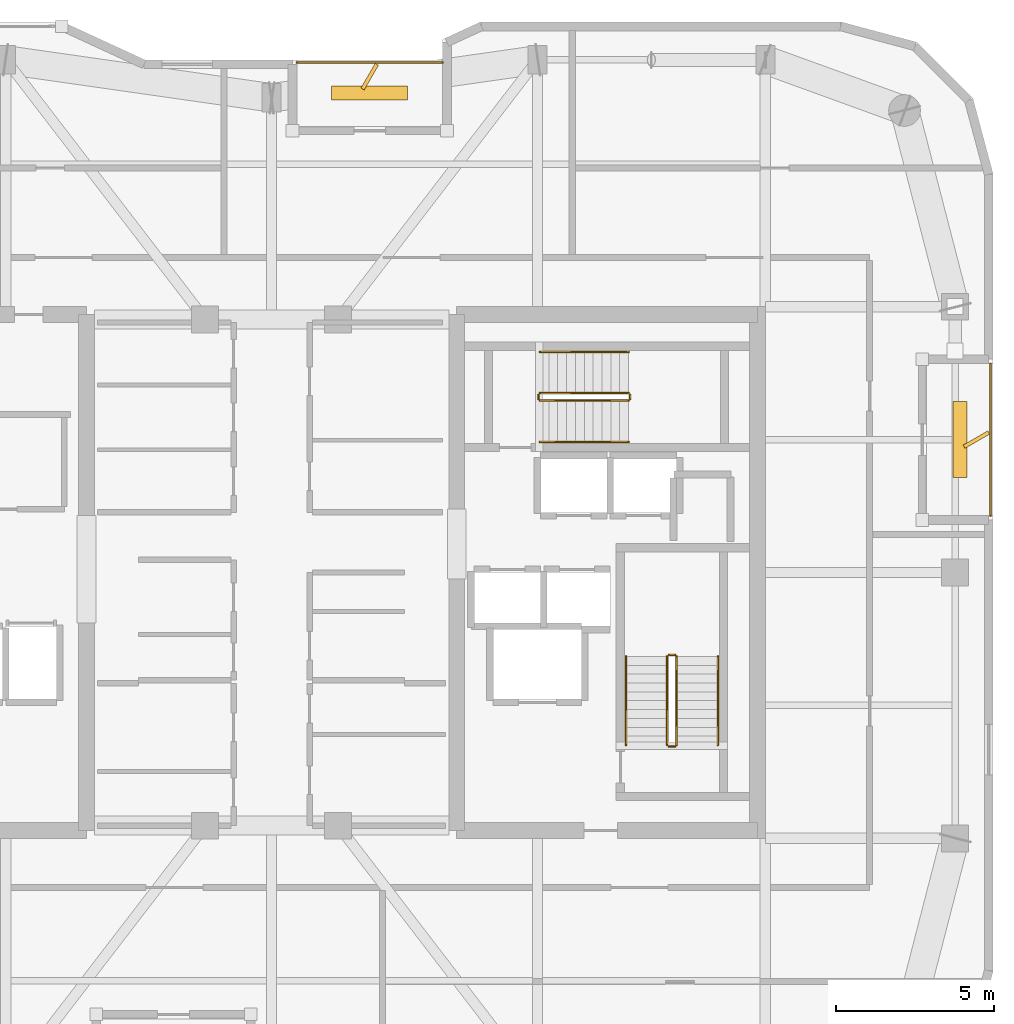
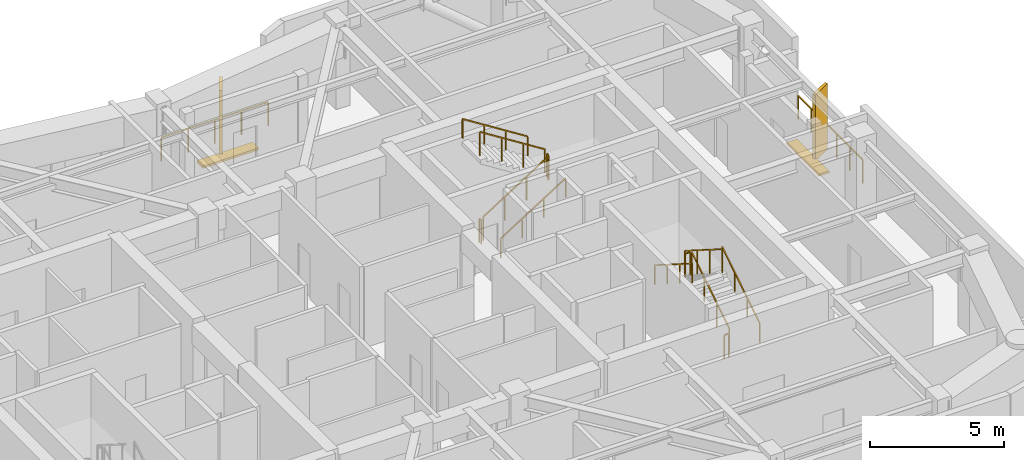
# One storey, part 16 of 16: 14 railings, 4 shading devices.
"""IFC4 building model written with IfcOpenShell, lengths in metres."""

from ifc_helpers import new_model, si_unit, direction, frame, origin, origin_2d, place, context, subcontext, project, spatial, rectangle, extrude, material, type_object, element, save


model = new_model("IFC4")

# Units and contexts
model_context = context("Model", 3, precision=1e-05, world=origin(), true_north=direction((0.0, 1.0)))
body_context = subcontext(model_context, "Body", "Model", "MODEL_VIEW")
ifc_project = project(units=[si_unit("LENGTHUNIT", "METRE"), si_unit("AREAUNIT", "SQUARE_METRE"), si_unit("VOLUMEUNIT", "CUBIC_METRE"), si_unit("PLANEANGLEUNIT", "RADIAN"), si_unit("MASSUNIT", "GRAM", prefix="KILO")], contexts=[model_context])

# Site, building, storey
site_placement = place(None, origin())
site = spatial("IfcSite", under=ifc_project, at=site_placement, CompositionType="ELEMENT")
building_placement = place(site_placement, origin())
building = spatial("IfcBuilding", under=site, at=building_placement, Name="Kiyonajd Concourse Tower", CompositionType="ELEMENT")
storey_placement = place(building_placement, frame((0.0, 0.0, 333.60009765625)))
storey = spatial("IfcBuildingStorey", under=building, at=storey_placement, Name="L84", CompositionType="ELEMENT", Elevation=333.60009765625)

# Railings
ifc_material_1 = material(Name="Thermally Broken Anodised Aluminium", Category="aluminium")
railing_type_1 = type_object("IfcRailingType", Name="RL-GRD-LOG", PredefinedType="GUARDRAIL", material=ifc_material_1)
railing_1_placement = place(storey_placement, frame((53.39990234375, 52.1201171875, 0.0)))
element("IfcRailing", 1, at=railing_1_placement, inside=storey, type_object=railing_type_1, Name="L84 Engawa Loggia Perimeter Guard LOG-N", PredefinedType="GUARDRAIL", context=body_context, shape_type="SweptSolid", body=[
    extrude(rectangle(XDim=0.048095703125, YDim=0.048095703125, at=origin_2d()), frame((0.0, 0.0, 1.076171875), z_axis=(-1.0, 0.0, 0.0), x_axis=(0.0, -1.0, 0.0)), (0.0, 0.0, 1.0), 4.599853515625),
    extrude(rectangle(XDim=0.0419921875, YDim=0.0419921875, at=origin_2d()), origin(), (0.0, 0.0, 1.0), 1.052001953125),
    extrude(rectangle(XDim=0.0419921875, YDim=0.0419921875, at=origin_2d()), frame((-1.14990234375, 0.0, 0.0)), (0.0, 0.0, 1.0), 1.052001953125),
    extrude(rectangle(XDim=0.0419921875, YDim=0.0419921875, at=origin_2d()), frame((-2.2998046875, 0.0, 0.0)), (0.0, 0.0, 1.0), 1.052001953125),
    extrude(rectangle(XDim=0.0419921875, YDim=0.0419921875, at=origin_2d()), frame((-3.449951171875, 0.0, 0.0)), (0.0, 0.0, 1.0), 1.052001953125),
    extrude(rectangle(XDim=0.0419921875, YDim=0.0419921875, at=origin_2d()), frame((-4.599853515625, 0.0, 0.0)), (0.0, 0.0, 1.0), 1.052001953125),
])
railing_2_placement = place(storey_placement, frame((70.719970703125, 37.800048828125, 0.0)))
element("IfcRailing", 2, at=railing_2_placement, inside=storey, type_object=railing_type_1, Name="L84 Engawa Loggia Perimeter Guard LOG-E", PredefinedType="GUARDRAIL", context=body_context, shape_type="SweptSolid", body=[
    extrude(rectangle(XDim=0.048095703125, YDim=0.048095703125, at=origin_2d()), frame((0.0, 0.0, 1.076171875), z_axis=(0.0, 1.0, 0.0), x_axis=(-1.0, 0.0, 0.0)), (0.0, 0.0, 1.0), 4.800048828125),
    extrude(rectangle(XDim=0.0419921875, YDim=0.0419921875, at=origin_2d()), origin(), (0.0, 0.0, 1.0), 1.052001953125),
    extrude(rectangle(XDim=0.0419921875, YDim=0.0419921875, at=origin_2d()), frame((0.0, 0.9599609375, 0.0)), (0.0, 0.0, 1.0), 1.052001953125),
    extrude(rectangle(XDim=0.0419921875, YDim=0.0419921875, at=origin_2d()), frame((0.0, 1.919921875, 0.0)), (0.0, 0.0, 1.0), 1.052001953125),
    extrude(rectangle(XDim=0.0419921875, YDim=0.0419921875, at=origin_2d()), frame((0.0, 2.880126953125, 0.0)), (0.0, 0.0, 1.0), 1.052001953125),
    extrude(rectangle(XDim=0.0419921875, YDim=0.0419921875, at=origin_2d()), frame((0.0, 3.840087890625, 0.0)), (0.0, 0.0, 1.0), 1.052001953125),
    extrude(rectangle(XDim=0.0419921875, YDim=0.0419921875, at=origin_2d()), frame((0.0, 4.800048828125, 0.0)), (0.0, 0.0, 1.0), 1.052001953125),
])
ifc_material_2 = material(Name="Steel ASTM A500 Grade C", Category="steel")
railing_type_2 = type_object("IfcRailingType", Name="RL-GRD-STR", PredefinedType="GUARDRAIL", material=ifc_material_2)
railing_3_placement = place(storey_placement, frame((60.800048828125, 30.550048828125, 0.17724609375)))
element("IfcRailing", 3, at=railing_3_placement, inside=storey, type_object=railing_type_2, Name="L84 ST2 stair guard 1", PredefinedType="GUARDRAIL", context=body_context, shape_type="SweptSolid", body=[
    extrude(rectangle(XDim=0.048095703125, YDim=0.048095703125, at=origin_2d()), frame((0.0, 0.0, 1.076171875), z_axis=(0.0, 0.844908973607, 0.534910110503), x_axis=(-1.0, 0.0, 0.0)), (0.0, 0.0, 1.0), 3.31396484375),
    extrude(rectangle(XDim=0.0419921875, YDim=0.0419921875, at=origin_2d()), origin(), (0.0, 0.0, 1.0), 1.052001953125),
    extrude(rectangle(XDim=0.0419921875, YDim=0.0419921875, at=origin_2d()), frame((0.0, 0.933349609375, 0.5908203125)), (0.0, 0.0, 1.0), 1.052001953125),
    extrude(rectangle(XDim=0.0419921875, YDim=0.0419921875, at=origin_2d()), frame((0.0, 1.86669921875, 1.181884765625)), (0.0, 0.0, 1.0), 1.052001953125),
    extrude(rectangle(XDim=0.0419921875, YDim=0.0419921875, at=origin_2d()), frame((0.0, 2.800048828125, 1.772705078125)), (0.0, 0.0, 1.0), 1.052001953125),
])
railing_4_placement = place(storey_placement, frame((60.75, 33.39990234375, 1.949951171875)))
element("IfcRailing", 4, at=railing_4_placement, inside=storey, type_object=railing_type_2, Name="L84 ST2 stair guard 2", PredefinedType="GUARDRAIL", context=body_context, shape_type="SweptSolid", body=[
    extrude(rectangle(XDim=0.048095703125, YDim=0.048095703125, at=origin_2d()), frame((0.0, 0.0, 1.076171875), z_axis=(-1.0, 0.0, 0.0), x_axis=(0.0, -1.0, 0.0)), (0.0, 0.0, 1.0), 0.199951171875),
    extrude(rectangle(XDim=0.0419921875, YDim=0.0419921875, at=origin_2d()), origin(), (0.0, 0.0, 1.0), 1.052001953125),
    extrude(rectangle(XDim=0.0419921875, YDim=0.0419921875, at=origin_2d()), frame((-0.199951171875, 0.0, 0.0)), (0.0, 0.0, 1.0), 1.052001953125),
])
railing_5_placement = place(storey_placement, frame((60.5, 33.35009765625, 2.127197265625)))
element("IfcRailing", 5, at=railing_5_placement, inside=storey, type_object=railing_type_2, Name="L84 ST2 stair guard 3", PredefinedType="GUARDRAIL", context=body_context, shape_type="SweptSolid", body=[
    extrude(rectangle(XDim=0.048095703125, YDim=0.048095703125, at=origin_2d()), frame((0.0, 0.0, 1.076171875), z_axis=(0.0, -0.844908973607, 0.534910110503), x_axis=(1.0, 0.0, 0.0)), (0.0, 0.0, 1.0), 3.31396484375),
    extrude(rectangle(XDim=0.0419921875, YDim=0.0419921875, at=origin_2d()), origin(), (0.0, 0.0, 1.0), 1.052001953125),
    extrude(rectangle(XDim=0.0419921875, YDim=0.0419921875, at=origin_2d()), frame((0.0, -0.933349609375, 0.5908203125)), (0.0, 0.0, 1.0), 1.052001953125),
    extrude(rectangle(XDim=0.0419921875, YDim=0.0419921875, at=origin_2d()), frame((0.0, -1.86669921875, 1.181884765625)), (0.0, 0.0, 1.0), 1.052001953125),
    extrude(rectangle(XDim=0.0419921875, YDim=0.0419921875, at=origin_2d()), frame((0.0, -2.800048828125, 1.772705078125)), (0.0, 0.0, 1.0), 1.052001953125),
])
railing_6_placement = place(storey_placement, frame((60.75, 30.5, 0.0)))
element("IfcRailing", 6, at=railing_6_placement, inside=storey, type_object=railing_type_2, Name="L84 ST2 stair guard 4", PredefinedType="GUARDRAIL", context=body_context, shape_type="SweptSolid", body=[
    extrude(rectangle(XDim=0.048095703125, YDim=0.048095703125, at=origin_2d()), frame((0.0, 0.0, 1.076171875), z_axis=(-1.0, 0.0, 0.0), x_axis=(0.0, -1.0, 0.0)), (0.0, 0.0, 1.0), 0.199951171875),
    extrude(rectangle(XDim=0.0419921875, YDim=0.0419921875, at=origin_2d()), origin(), (0.0, 0.0, 1.0), 1.052001953125),
    extrude(rectangle(XDim=0.0419921875, YDim=0.0419921875, at=origin_2d()), frame((-0.199951171875, 0.0, 0.0)), (0.0, 0.0, 1.0), 1.052001953125),
])
railing_7_placement = place(storey_placement, frame((56.47998046875, 41.429931640625, 0.17724609375)))
element("IfcRailing", 7, at=railing_7_placement, inside=storey, type_object=railing_type_2, Name="L84 ST3 stair guard 1", PredefinedType="GUARDRAIL", context=body_context, shape_type="SweptSolid", body=[
    extrude(rectangle(XDim=0.048095703125, YDim=0.048095703125, at=origin_2d()), frame((0.0, 0.0, 1.076171875), z_axis=(0.844908973607, 0.0, 0.534910110503), x_axis=(0.0, 1.0, 0.0)), (0.0, 0.0, 1.0), 3.31396484375),
    extrude(rectangle(XDim=0.0419921875, YDim=0.0419921875, at=origin_2d()), origin(), (0.0, 0.0, 1.0), 1.052001953125),
    extrude(rectangle(XDim=0.0419921875, YDim=0.0419921875, at=origin_2d()), frame((0.933349609375, 0.0, 0.5908203125)), (0.0, 0.0, 1.0), 1.052001953125),
    extrude(rectangle(XDim=0.0419921875, YDim=0.0419921875, at=origin_2d()), frame((1.86669921875, 0.0, 1.181884765625)), (0.0, 0.0, 1.0), 1.052001953125),
    extrude(rectangle(XDim=0.0419921875, YDim=0.0419921875, at=origin_2d()), frame((2.800048828125, 0.0, 1.772705078125)), (0.0, 0.0, 1.0), 1.052001953125),
])
railing_8_placement = place(storey_placement, frame((59.330078125, 41.47998046875, 1.949951171875)))
element("IfcRailing", 8, at=railing_8_placement, inside=storey, type_object=railing_type_2, Name="L84 ST3 stair guard 2", PredefinedType="GUARDRAIL", context=body_context, shape_type="SweptSolid", body=[
    extrude(rectangle(XDim=0.048095703125, YDim=0.048095703125, at=origin_2d()), frame((0.0, 0.0, 1.076171875), z_axis=(0.0, 1.0, 0.0), x_axis=(-1.0, 0.0, 0.0)), (0.0, 0.0, 1.0), 0.14013671875),
    extrude(rectangle(XDim=0.0419921875, YDim=0.0419921875, at=origin_2d()), origin(), (0.0, 0.0, 1.0), 1.052001953125),
    extrude(rectangle(XDim=0.0419921875, YDim=0.0419921875, at=origin_2d()), frame((0.0, 0.14013671875, 0.0)), (0.0, 0.0, 1.0), 1.052001953125),
])
railing_9_placement = place(storey_placement, frame((59.280029296875, 41.669921875, 2.127197265625)))
element("IfcRailing", 9, at=railing_9_placement, inside=storey, type_object=railing_type_2, Name="L84 ST3 stair guard 3", PredefinedType="GUARDRAIL", context=body_context, shape_type="SweptSolid", body=[
    extrude(rectangle(XDim=0.048095703125, YDim=0.048095703125, at=origin_2d()), frame((0.0, 0.0, 1.076171875), z_axis=(-0.844908973607, 0.0, 0.534910110503), x_axis=(0.0, -1.0, 0.0)), (0.0, 0.0, 1.0), 3.31396484375),
    extrude(rectangle(XDim=0.0419921875, YDim=0.0419921875, at=origin_2d()), origin(), (0.0, 0.0, 1.0), 1.052001953125),
    extrude(rectangle(XDim=0.0419921875, YDim=0.0419921875, at=origin_2d()), frame((-0.933349609375, 0.0, 0.5908203125)), (0.0, 0.0, 1.0), 1.052001953125),
    extrude(rectangle(XDim=0.0419921875, YDim=0.0419921875, at=origin_2d()), frame((-1.86669921875, 0.0, 1.181884765625)), (0.0, 0.0, 1.0), 1.052001953125),
    extrude(rectangle(XDim=0.0419921875, YDim=0.0419921875, at=origin_2d()), frame((-2.800048828125, 0.0, 1.772705078125)), (0.0, 0.0, 1.0), 1.052001953125),
])
railing_10_placement = place(storey_placement, frame((56.429931640625, 41.47998046875, 0.0)))
element("IfcRailing", 10, at=railing_10_placement, inside=storey, type_object=railing_type_2, Name="L84 ST3 stair guard 4", PredefinedType="GUARDRAIL", context=body_context, shape_type="SweptSolid", body=[
    extrude(rectangle(XDim=0.048095703125, YDim=0.048095703125, at=origin_2d()), frame((0.0, 0.0, 1.076171875), z_axis=(0.0, 1.0, 0.0), x_axis=(-1.0, 0.0, 0.0)), (0.0, 0.0, 1.0), 0.14013671875),
    extrude(rectangle(XDim=0.0419921875, YDim=0.0419921875, at=origin_2d()), origin(), (0.0, 0.0, 1.0), 1.052001953125),
    extrude(rectangle(XDim=0.0419921875, YDim=0.0419921875, at=origin_2d()), frame((0.0, 0.14013671875, 0.0)), (0.0, 0.0, 1.0), 1.052001953125),
])
ifc_material_3 = material(Name="Brushed Stainless Steel Cab Assembly", Category="steel")
railing_type_3 = type_object("IfcRailingType", Name="RL-HND-900", PredefinedType="HANDRAIL", material=ifc_material_3)
railing_11_placement = place(storey_placement, frame((62.10009765625, 30.550048828125, 0.17724609375)))
element("IfcRailing", 11, at=railing_11_placement, inside=storey, type_object=railing_type_3, Name="L84 ST2 stair handrail 1", PredefinedType="HANDRAIL", context=body_context, shape_type="SweptSolid", body=[
    extrude(rectangle(XDim=0.048095703125, YDim=0.048095703125, at=origin_2d()), frame((0.0, 0.0, 0.8759765625), z_axis=(0.0, 0.844908973607, 0.534910110503), x_axis=(-1.0, 0.0, 0.0)), (0.0, 0.0, 1.0), 3.31396484375),
    extrude(rectangle(XDim=0.0419921875, YDim=0.0419921875, at=origin_2d()), origin(), (0.0, 0.0, 1.0), 0.851806640625),
    extrude(rectangle(XDim=0.0419921875, YDim=0.0419921875, at=origin_2d()), frame((0.0, 0.933349609375, 0.5908203125)), (0.0, 0.0, 1.0), 0.851806640625),
    extrude(rectangle(XDim=0.0419921875, YDim=0.0419921875, at=origin_2d()), frame((0.0, 1.86669921875, 1.181884765625)), (0.0, 0.0, 1.0), 0.851806640625),
    extrude(rectangle(XDim=0.0419921875, YDim=0.0419921875, at=origin_2d()), frame((0.0, 2.800048828125, 1.772705078125)), (0.0, 0.0, 1.0), 0.851806640625),
])
railing_12_placement = place(storey_placement, frame((59.199951171875, 33.35009765625, 2.127197265625)))
element("IfcRailing", 12, at=railing_12_placement, inside=storey, type_object=railing_type_3, Name="L84 ST2 stair handrail 2", PredefinedType="HANDRAIL", context=body_context, shape_type="SweptSolid", body=[
    extrude(rectangle(XDim=0.048095703125, YDim=0.048095703125, at=origin_2d()), frame((0.0, 0.0, 0.8759765625), z_axis=(0.0, -0.844908973607, 0.534910110503), x_axis=(1.0, 0.0, 0.0)), (0.0, 0.0, 1.0), 3.31396484375),
    extrude(rectangle(XDim=0.0419921875, YDim=0.0419921875, at=origin_2d()), origin(), (0.0, 0.0, 1.0), 0.851806640625),
    extrude(rectangle(XDim=0.0419921875, YDim=0.0419921875, at=origin_2d()), frame((0.0, -0.933349609375, 0.5908203125)), (0.0, 0.0, 1.0), 0.851806640625),
    extrude(rectangle(XDim=0.0419921875, YDim=0.0419921875, at=origin_2d()), frame((0.0, -1.86669921875, 1.181884765625)), (0.0, 0.0, 1.0), 0.851806640625),
    extrude(rectangle(XDim=0.0419921875, YDim=0.0419921875, at=origin_2d()), frame((0.0, -2.800048828125, 1.772705078125)), (0.0, 0.0, 1.0), 0.851806640625),
])
railing_13_placement = place(storey_placement, frame((56.47998046875, 40.1298828125, 0.17724609375)))
element("IfcRailing", 13, at=railing_13_placement, inside=storey, type_object=railing_type_3, Name="L84 ST3 stair handrail 1", PredefinedType="HANDRAIL", context=body_context, shape_type="SweptSolid", body=[
    extrude(rectangle(XDim=0.048095703125, YDim=0.048095703125, at=origin_2d()), frame((0.0, 0.0, 0.8759765625), z_axis=(0.844908973607, 0.0, 0.534910110503), x_axis=(0.0, 1.0, 0.0)), (0.0, 0.0, 1.0), 3.31396484375),
    extrude(rectangle(XDim=0.0419921875, YDim=0.0419921875, at=origin_2d()), origin(), (0.0, 0.0, 1.0), 0.851806640625),
    extrude(rectangle(XDim=0.0419921875, YDim=0.0419921875, at=origin_2d()), frame((0.933349609375, 0.0, 0.5908203125)), (0.0, 0.0, 1.0), 0.851806640625),
    extrude(rectangle(XDim=0.0419921875, YDim=0.0419921875, at=origin_2d()), frame((1.86669921875, 0.0, 1.181884765625)), (0.0, 0.0, 1.0), 0.851806640625),
    extrude(rectangle(XDim=0.0419921875, YDim=0.0419921875, at=origin_2d()), frame((2.800048828125, 0.0, 1.772705078125)), (0.0, 0.0, 1.0), 0.851806640625),
])
railing_14_placement = place(storey_placement, frame((59.280029296875, 42.969970703125, 2.127197265625)))
element("IfcRailing", 14, at=railing_14_placement, inside=storey, type_object=railing_type_3, Name="L84 ST3 stair handrail 2", PredefinedType="HANDRAIL", context=body_context, shape_type="SweptSolid", body=[
    extrude(rectangle(XDim=0.048095703125, YDim=0.048095703125, at=origin_2d()), frame((0.0, 0.0, 0.8759765625), z_axis=(-0.844908973607, 0.0, 0.534910110503), x_axis=(0.0, -1.0, 0.0)), (0.0, 0.0, 1.0), 3.31396484375),
    extrude(rectangle(XDim=0.0419921875, YDim=0.0419921875, at=origin_2d()), origin(), (0.0, 0.0, 1.0), 0.851806640625),
    extrude(rectangle(XDim=0.0419921875, YDim=0.0419921875, at=origin_2d()), frame((-0.933349609375, 0.0, 0.5908203125)), (0.0, 0.0, 1.0), 0.851806640625),
    extrude(rectangle(XDim=0.0419921875, YDim=0.0419921875, at=origin_2d()), frame((-1.86669921875, 0.0, 1.181884765625)), (0.0, 0.0, 1.0), 0.851806640625),
    extrude(rectangle(XDim=0.0419921875, YDim=0.0419921875, at=origin_2d()), frame((-2.800048828125, 0.0, 1.772705078125)), (0.0, 0.0, 1.0), 0.851806640625),
])

# Shading devices
ifc_material_4 = material(Name="Precast concrete C50/60", Category="concrete")
shading_device_type_1 = type_object("IfcShadingDeviceType", Name="SH-FIN-900", PredefinedType="USERDEFINED", material=ifc_material_4)
for number, where, z_axis, x_axis, name in (
    (15, (51.10009765625, 51.669921875, 0.0), (0.0, 0.0, 1.0), (0.5, 0.866025403784, 0.0), "L84 Angled Koshi Solar Fin LOG-N"),
    (16, (70.27001953125, 40.199951171875, 0.0), (0.0, 0.0, 1.0), (0.866025403784, 0.5, 0.0), "L84 Angled Koshi Solar Fin LOG-E"),
):
    element("IfcShadingDevice", number, at=place(storey_placement, frame(where, z_axis=z_axis, x_axis=x_axis)), inside=storey, type_object=shading_device_type_1, Name=name, ObjectType="FIN", PredefinedType="USERDEFINED", context=body_context, shape_type="SweptSolid", body=[
        extrude(rectangle(XDim=0.89990234375, YDim=0.1201171875, at=origin_2d()), origin(), (0.0, 0.0, 1.0), 3.0),
    ])
shading_device_type_2 = type_object("IfcShadingDeviceType", Name="SH-LVR-600", PredefinedType="JALOUSIE", material=ifc_material_1)
for number, where, z_axis, x_axis, name in (
    (17, (51.10009765625, 51.14990234375, -0.000244140625), (0.0, 0.0, 1.0), (1.0, 0.0, 0.0), "L84 Loggia Threshold Louver LOG-N"),
    (18, (69.75, 40.199951171875, -0.000244140625), (0.0, 0.0, 1.0), (0.0, 1.0, 0.0), "L84 Loggia Threshold Louver LOG-E"),
):
    element("IfcShadingDevice", number, at=place(storey_placement, frame(where, z_axis=z_axis, x_axis=x_axis)), inside=storey, type_object=shading_device_type_2, Name=name, PredefinedType="JALOUSIE", context=body_context, shape_type="SweptSolid", body=[
        extrude(rectangle(XDim=2.39990234375, YDim=0.449951171875, at=origin_2d()), origin(), (0.0, 0.0, 1.0), 0.10009765625),
    ])

save(model, "model.ifc")
